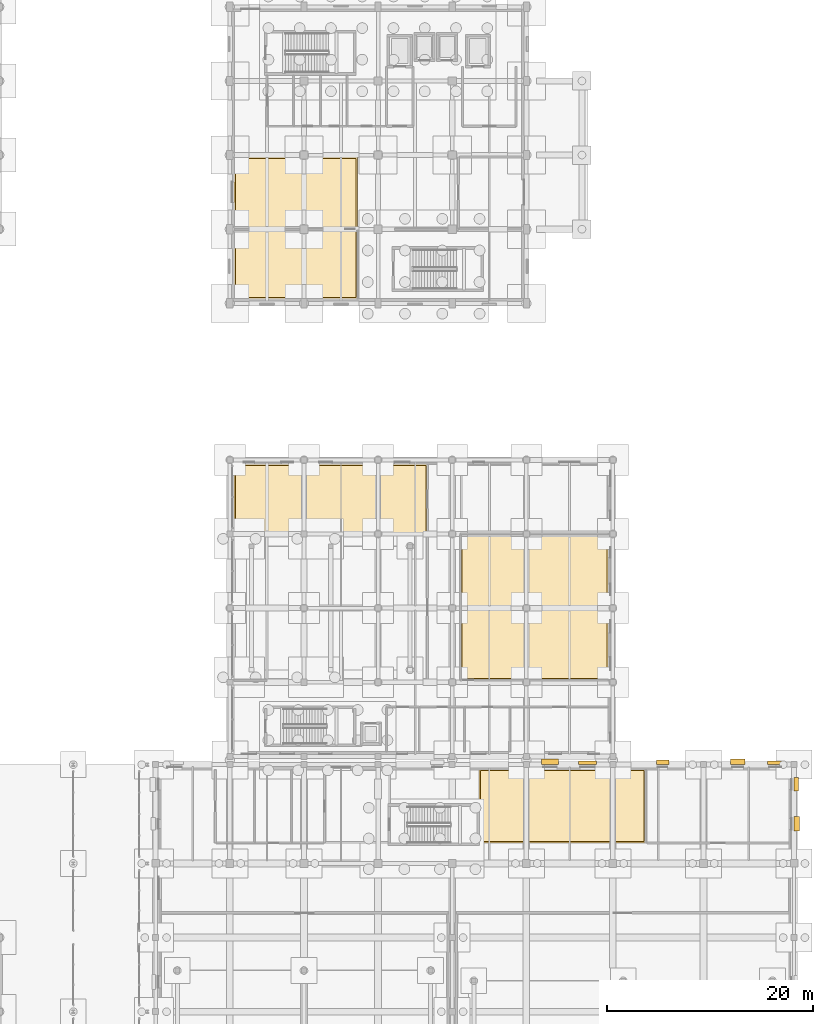
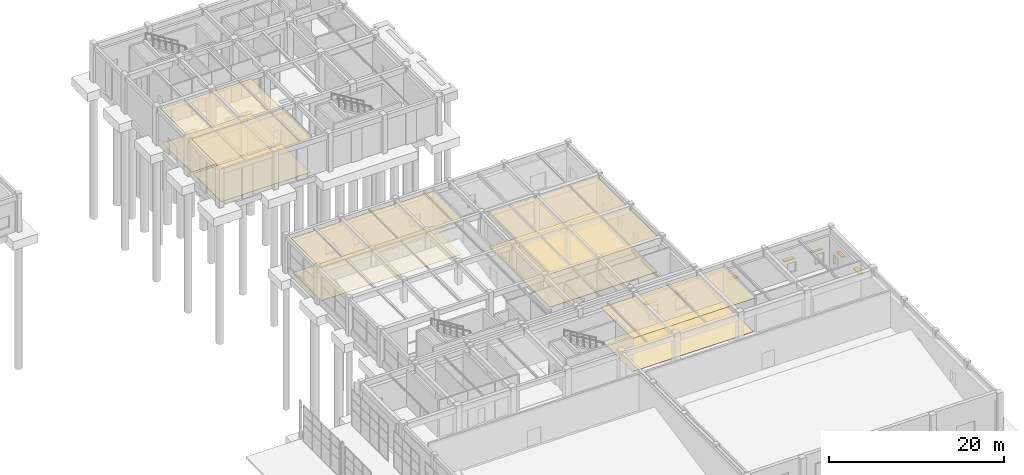
# One storey, part 88 of 91: 10 coverings, 7 shading devices.
"""IFC4 building model written with IfcOpenShell, lengths in metres."""

import ifcopenshell
import ifcopenshell.guid

model = None  # the IFC model being written
_history = None  # IfcOwnerHistory: only IFC2X3 demands one
_inside = {}  # id of a spatial element -> (the spatial element, [elements in it])
_under = {}  # id of a project, library or spatial element -> (it, [spatial elements below it])
_declared = {}  # id of a project -> (the project, [libraries it declares])
_typed = {}  # id of a type object -> (the type object, [elements of that type])
_made_of = {}  # id of a material, layer set ... -> (it, [elements and type objects made of it])


def new_model(schema):
    """Start an empty IFC model of exactly this schema.

    Asked for "IFC4X3", IfcOpenShell would pick the latest addendum, in which some entities
    have other attributes; the version numbers below select the first issue.
    IFC2X3 requires an IfcOwnerHistory on every rooted entity: one is made here for all.
    """
    global model, _history
    if schema == "IFC4X3":
        model = ifcopenshell.file(schema_version=(4, 3, 0, 0))
    else:
        model = ifcopenshell.file(schema=schema)
    _inside.clear()
    _under.clear()
    _declared.clear()
    _typed.clear()
    _made_of.clear()
    _history = None
    if model.schema == "IFC2X3":
        org = make("IfcOrganization", Name="unknown")
        user = make(
            "IfcPersonAndOrganization",
            ThePerson=make("IfcPerson", FamilyName="unknown"),
            TheOrganization=org,
        )
        app = make(
            "IfcApplication",
            ApplicationDeveloper=org,
            Version="unknown",
            ApplicationFullName="unknown",
            ApplicationIdentifier="unknown",
        )
        _history = make(
            "IfcOwnerHistory",
            OwningUser=user,
            OwningApplication=app,
            ChangeAction="ADDED",
            CreationDate=0,
        )
    return model


def make(cls, **values):
    """One entity of the class cls with the attributes given. An attribute that is None is left unset."""
    return model.create_entity(
        cls, **{name: value for name, value in values.items() if value is not None}
    )


def rooted(cls, **values):
    """An entity with a GlobalId (a new one), such as an element, a storey or a relation."""
    return make(cls, GlobalId=ifcopenshell.guid.new(), OwnerHistory=_history, **values)


def si_unit(unit_type, name, prefix=None):
    """IfcSIUnit, for example si_unit("LENGTHUNIT", "METRE", prefix="MILLI")."""
    return make("IfcSIUnit", UnitType=unit_type, Prefix=prefix, Name=name)


def assignment(units):
    """IfcUnitAssignment: the units of a project."""
    return None if units is None else make("IfcUnitAssignment", Units=units)


def point(xyz):
    """IfcCartesianPoint."""
    return None if xyz is None else make("IfcCartesianPoint", Coordinates=xyz)


def direction(xyz):
    """IfcDirection."""
    return None if xyz is None else make("IfcDirection", DirectionRatios=xyz)


def frame(location, z_axis=None, x_axis=None):
    """IfcAxis2Placement3D, a coordinate frame: its origin and axes. An axis left out is left unset."""
    return make(
        "IfcAxis2Placement3D",
        Location=point(location),
        Axis=direction(z_axis),
        RefDirection=direction(x_axis),
    )


def frame_2d(location, x_axis=None):
    """IfcAxis2Placement2D, a coordinate frame in the plane: its origin and x axis."""
    return make(
        "IfcAxis2Placement2D", Location=point(location), RefDirection=direction(x_axis)
    )


def origin():
    """The frame at (0, 0, 0) with its axes left unset."""
    return frame((0.0, 0.0, 0.0))


def origin_2d():
    """The frame at (0, 0) in the plane with its x axis left unset."""
    return frame_2d((0.0, 0.0))


def place(relative_to, where):
    """IfcLocalPlacement: puts the frame where relative to a parent placement (None: the world)."""
    return make(
        "IfcLocalPlacement", PlacementRelTo=relative_to, RelativePlacement=where
    )


def context(
    kind, dimensions, precision=None, world=None, true_north=None, identifier=None
):
    """IfcGeometricRepresentationContext, for example the 3D "Model" context."""
    return make(
        "IfcGeometricRepresentationContext",
        ContextIdentifier=identifier,
        ContextType=kind,
        CoordinateSpaceDimension=dimensions,
        Precision=precision,
        WorldCoordinateSystem=world,
        TrueNorth=true_north,
    )


def subcontext(parent, identifier, kind, view, scale=None):
    """IfcGeometricRepresentationSubContext, for example "Body" below "Model"."""
    return make(
        "IfcGeometricRepresentationSubContext",
        ContextIdentifier=identifier,
        ContextType=kind,
        ParentContext=parent,
        TargetScale=scale,
        TargetView=view,
    )


def project(units=None, contexts=None):
    """IfcProject with its units and contexts."""
    return rooted(
        "IfcProject",
        Name="project",
        RepresentationContexts=contexts,
        UnitsInContext=assignment(units),
    )


def spatial(cls, under=None, at=None, **own):
    """A site, building, storey or space (cls), placed at a placement, below another one or the project."""
    s = rooted(cls, ObjectPlacement=at, **own)
    if under is not None:
        _under.setdefault(under.id(), (under, []))[1].append(s)
    return s


def polyline(points):
    """IfcPolyline through the points."""
    return make("IfcPolyline", Points=[point(p) for p in points])


def profile(cls, at=None, kind="AREA", **sizes):
    """A parametric profile (cls). Its sizes go by their IFC names, for example OverallWidth=200.0."""
    return make(cls, ProfileType=kind, Position=at, **sizes)


def rectangle(**sizes):
    """IfcRectangleProfileDef."""
    return profile("IfcRectangleProfileDef", **sizes)


def outline(outer, holes=None, kind="AREA"):
    """IfcArbitraryClosedProfileDef: a profile drawn as a closed curve; with holes, ...WithVoids."""
    if holes is None:
        return make("IfcArbitraryClosedProfileDef", ProfileType=kind, OuterCurve=outer)
    return make(
        "IfcArbitraryProfileDefWithVoids",
        ProfileType=kind,
        OuterCurve=outer,
        InnerCurves=holes,
    )


def extrude(swept, where, along, depth):
    """IfcExtrudedAreaSolid: the profile swept, set in the frame where, extruded along a direction by depth."""
    return make(
        "IfcExtrudedAreaSolid",
        SweptArea=swept,
        Position=where,
        ExtrudedDirection=direction(along),
        Depth=depth,
    )


def shape(context_of_items, identifier, shape_type, items):
    """IfcShapeRepresentation: the items that make up one representation, for example the "Body"."""
    return make(
        "IfcShapeRepresentation",
        ContextOfItems=context_of_items,
        RepresentationIdentifier=identifier,
        RepresentationType=shape_type,
        Items=items,
    )


def material(Name=None, Category=None):
    """IfcMaterial."""
    return make("IfcMaterial", Name=Name, Category=Category)


def layer(
    of_material, thickness, ventilated=None, Name=None, Category=None, Priority=None
):
    """IfcMaterialLayer: one layer of a wall or slab, of a material (None: an air gap)."""
    return make(
        "IfcMaterialLayer",
        Material=of_material,
        LayerThickness=thickness,
        IsVentilated=ventilated,
        Name=Name,
        Category=Category,
        Priority=Priority,
    )


def layer_set(layers, Name=None):
    """IfcMaterialLayerSet."""
    return make("IfcMaterialLayerSet", MaterialLayers=layers, LayerSetName=Name)


def made_of(thing, what):
    """Note that an element or type object is made of a material, layer set ...; save() writes the relation."""
    if what is not None:
        _made_of.setdefault(what.id(), (what, []))[1].append(thing)
    return thing


def type_object(cls, material=None, **own):
    """A type object (cls), such as IfcWallType, which elements share."""
    return made_of(rooted(cls, **own), material)


def element(
    cls,
    number,
    at=None,
    inside=None,
    cuts=None,
    type_object=None,
    material=None,
    context=None,
    identifier="Body",
    shape_type=None,
    held_by="IfcProductDefinitionShape",
    body=None,
    shapes=None,
    **own,
):
    """One element of the class cls, such as IfcWall. Its Tag is "e" and its number.

    at: its placement. inside: the storey or other place that contains it. cuts: it is an
    opening in that element (IfcRelVoidsElement). A single representation is given by context,
    identifier, shape_type and body (its items); several are given by shapes. held_by: the class
    of the entity that holds the representations. save() writes the other relations.
    """
    e = rooted(cls, Tag="e%d" % number, ObjectPlacement=at, **own)
    if body is not None:
        shapes = [shape(context, identifier, shape_type, body)]
    if shapes is not None:
        e.Representation = make(held_by, Representations=shapes)
    if inside is not None:
        _inside.setdefault(inside.id(), (inside, []))[1].append(e)
    if cuts is not None:
        rooted(
            "IfcRelVoidsElement", RelatingBuildingElement=cuts, RelatedOpeningElement=e
        )
    if type_object is not None:
        _typed.setdefault(type_object.id(), (type_object, []))[1].append(e)
    return made_of(e, material)


def aggregate(whole, parts):
    """IfcRelAggregates: a whole, such as a stair, and the parts it consists of."""
    return rooted("IfcRelAggregates", RelatingObject=whole, RelatedObjects=parts)


def save(model, path):
    """Write the relations noted so far, then the file.

    IfcRelAggregates (storeys below a building ...), IfcRelContainedInSpatialStructure (elements
    in a storey), IfcRelDefinesByType, IfcRelAssociatesMaterial and IfcRelDeclares: one each for
    every whole, place, type object, material and project.
    """
    for whole, parts in _under.values():
        aggregate(whole, parts)
    for where, things in _inside.values():
        rooted(
            "IfcRelContainedInSpatialStructure",
            RelatedElements=things,
            RelatingStructure=where,
        )
    for kind, things in _typed.values():
        rooted("IfcRelDefinesByType", RelatedObjects=things, RelatingType=kind)
    for what, things in _made_of.values():
        rooted("IfcRelAssociatesMaterial", RelatedObjects=things, RelatingMaterial=what)
    for by, libraries in _declared.values():
        rooted("IfcRelDeclares", RelatingContext=by, RelatedDefinitions=libraries)
    model.write(path)


model = new_model("IFC4")

# Units and contexts
model_context = context("Model", 3, precision=1e-05, world=origin(), true_north=direction((0.0, 1.0)))
body_context = subcontext(model_context, "Body", "Model", "MODEL_VIEW")
ifc_project = project(units=[si_unit("LENGTHUNIT", "METRE"), si_unit("AREAUNIT", "SQUARE_METRE"), si_unit("VOLUMEUNIT", "CUBIC_METRE"), si_unit("PLANEANGLEUNIT", "RADIAN"), si_unit("MASSUNIT", "GRAM", prefix="KILO")], contexts=[model_context])

# Site, building, storey
site_placement = place(None, origin())
site = spatial("IfcSite", under=ifc_project, at=site_placement, CompositionType="ELEMENT")
building_placement = place(site_placement, origin())
building = spatial("IfcBuilding", under=site, at=building_placement, Name="Bramveld Media Centre", CompositionType="ELEMENT")
storey_placement = place(building_placement, origin())
storey = spatial("IfcBuildingStorey", under=building, at=storey_placement, Name="L00", CompositionType="ELEMENT", Elevation=0.0)

# Coverings
ifc_material_1 = material(Name="Perforated acoustic mineral-fibre & oak-slat suspended ceiling")
ifc_layer_1 = layer(ifc_material_1, 0.044921875)
ifc_layer_set_1 = layer_set([ifc_layer_1], Name="Perforated acoustic mineral-fibre & oak-slat suspended ceiling")
covering_type_1 = type_object("IfcCoveringType", Name="COV-CEIL-01", PredefinedType="CEILING", material=ifc_layer_set_1)
covering_1_placement = place(storey_placement, frame((0.0, 0.0, 4.764892578125)))
element("IfcCovering", 1, at=covering_1_placement, inside=storey, type_object=covering_type_1, Name="Youth Media Education Workshop acoustic suspended ceiling", PredefinedType="CEILING", context=body_context, shape_type="SweptSolid", body=[
    extrude(outline(polyline([(153.60009765625, 46.60009765625), (168.0, 46.60009765625), (168.0, 60.800048828125), (153.60009765625, 60.800048828125), (153.60009765625, 46.60009765625)])), origin(), (0.0, 0.0, 1.0), 0.045166015625),
])
covering_2_placement = place(storey_placement, frame((0.0, 0.0, 4.7451171875)))
element("IfcCovering", 2, at=covering_2_placement, inside=storey, type_object=covering_type_1, Name="Live Radio & Podcast Window Studio acoustic suspended ceiling", PredefinedType="CEILING", context=body_context, shape_type="SweptSolid", body=[
    extrude(outline(polyline([(131.60009765625, 83.60009765625), (143.60009765625, 83.60009765625), (143.60009765625, 90.39990234375), (131.60009765625, 90.39990234375), (131.60009765625, 83.60009765625)])), origin(), (0.0, 0.0, 1.0), 0.044921875),
])
ifc_material_2 = material(Name="Spring-isolated studio acoustic gypsum & mineral-wool ceiling")
ifc_layer_2 = layer(ifc_material_2, 0.06005859375)
ifc_layer_set_2 = layer_set([ifc_layer_2], Name="Spring-isolated studio acoustic gypsum & mineral-wool ceiling")
covering_type_2 = type_object("IfcCoveringType", Name="COV-CEIL-02", PredefinedType="CEILING", material=ifc_layer_set_2)
covering_3_placement = place(storey_placement, frame((0.0, 0.0, 4.7099609375)))
element("IfcCovering", 3, at=covering_3_placement, inside=storey, type_object=covering_type_2, Name="Festival Press & Ticket Circulation Lobby acoustic suspended ceiling", PredefinedType="CEILING", context=body_context, shape_type="SweptSolid", body=[
    extrude(outline(polyline([(155.39990234375, 30.800048828125), (171.60009765625, 30.800048828125), (171.60009765625, 38.0), (155.39990234375, 38.0), (155.39990234375, 30.800048828125)])), origin(), (0.0, 0.0, 1.0), 0.06005859375),
])
covering_4_placement = place(storey_placement, frame((0.0, 0.0, 4.75)))
element("IfcCovering", 4, at=covering_4_placement, inside=storey, type_object=covering_type_2, Name="Analogue Film Scanner Suite acoustic suspended ceiling", PredefinedType="CEILING", context=body_context, shape_type="SweptSolid", body=[
    extrude(outline(polyline([(131.60009765625, 60.800048828125), (150.39990234375, 60.800048828125), (150.39990234375, 67.60009765625), (131.60009765625, 67.60009765625), (131.60009765625, 60.800048828125)])), origin(), (0.0, 0.0, 1.0), 0.06005859375),
])
covering_5_placement = place(storey_placement, frame((0.0, 0.0, 4.72998046875)))
element("IfcCovering", 5, at=covering_5_placement, inside=storey, type_object=covering_type_2, Name="East Plaza Entrance Circulation Lobby acoustic suspended ceiling", PredefinedType="CEILING", context=body_context, shape_type="SweptSolid", body=[
    extrude(outline(polyline([(131.60009765625, 90.39990234375), (143.60009765625, 90.39990234375), (143.60009765625, 97.39990234375), (131.60009765625, 97.39990234375), (131.60009765625, 90.39990234375)])), origin(), (0.0, 0.0, 1.0), 0.06005859375),
])
ifc_material_3 = material(Name="Floating acoustic screed with smoked European oak studio flooring")
ifc_layer_3 = layer(ifc_material_3, 0.06494140625)
ifc_layer_set_3 = layer_set([ifc_layer_3], Name="Floating acoustic screed with smoked European oak studio flooring")
covering_type_3 = type_object("IfcCoveringType", Name="COV-FLOOR-01", PredefinedType="FLOORING", material=ifc_layer_set_3)
covering_6_placement = place(storey_placement, origin())
element("IfcCovering", 6, at=covering_6_placement, inside=storey, type_object=covering_type_3, Name="Youth Media Education Workshop finish flooring", PredefinedType="FLOORING", context=body_context, shape_type="SweptSolid", body=[
    extrude(outline(polyline([(153.75, 46.75), (167.85009765625, 46.75), (167.85009765625, 60.64990234375), (153.75, 60.64990234375), (153.75, 46.75)])), origin(), (0.0, 0.0, 1.0), 0.06494140625),
])
ifc_material_4 = material(Name="Honed Belgian bluestone (petit granit) public concourse flooring", Category="masonry")
ifc_layer_4 = layer(ifc_material_4, 0.050048828125)
ifc_layer_set_4 = layer_set([ifc_layer_4], Name="Honed Belgian bluestone (petit granit) public concourse flooring")
covering_type_4 = type_object("IfcCoveringType", Name="COV-FLOOR-02", PredefinedType="FLOORING", material=ifc_layer_set_4)
covering_7_placement = place(storey_placement, origin())
element("IfcCovering", 7, at=covering_7_placement, inside=storey, type_object=covering_type_4, Name="Analogue Film Scanner Suite finish flooring", PredefinedType="FLOORING", context=body_context, shape_type="SweptSolid", body=[
    extrude(outline(polyline([(131.75, 60.949951171875), (150.25, 60.949951171875), (150.25, 67.449951171875), (131.75, 67.449951171875), (131.75, 60.949951171875)])), origin(), (0.0, 0.0, 1.0), 0.050048828125),
])
covering_8_placement = place(storey_placement, origin())
element("IfcCovering", 8, at=covering_8_placement, inside=storey, type_object=covering_type_4, Name="East Plaza Entrance Circulation Lobby finish flooring", PredefinedType="FLOORING", context=body_context, shape_type="SweptSolid", body=[
    extrude(outline(polyline([(131.75, 90.550048828125), (143.449951171875, 90.550048828125), (143.449951171875, 97.25), (131.75, 97.25), (131.75, 90.550048828125)])), origin(), (0.0, 0.0, 1.0), 0.050048828125),
])
ifc_material_5 = material(Name="Anti-static acoustic linoleum editing & vault flooring")
ifc_layer_5 = layer(ifc_material_5, 0.0400390625)
ifc_layer_set_5 = layer_set([ifc_layer_5], Name="Anti-static acoustic linoleum editing & vault flooring")
covering_type_5 = type_object("IfcCoveringType", Name="COV-FLOOR-03", PredefinedType="FLOORING", material=ifc_layer_set_5)
covering_9_placement = place(storey_placement, origin())
element("IfcCovering", 9, at=covering_9_placement, inside=storey, type_object=covering_type_5, Name="Festival Press & Ticket Circulation Lobby finish flooring", PredefinedType="FLOORING", context=body_context, shape_type="SweptSolid", body=[
    extrude(outline(polyline([(155.550048828125, 30.949951171875), (171.449951171875, 30.949951171875), (171.449951171875, 37.85009765625), (155.550048828125, 37.85009765625), (155.550048828125, 30.949951171875)])), origin(), (0.0, 0.0, 1.0), 0.0400390625),
])
covering_10_placement = place(storey_placement, origin())
element("IfcCovering", 10, at=covering_10_placement, inside=storey, type_object=covering_type_5, Name="Live Radio & Podcast Window Studio finish flooring", PredefinedType="FLOORING", context=body_context, shape_type="SweptSolid", body=[
    extrude(outline(polyline([(131.75, 83.75), (143.449951171875, 83.75), (143.449951171875, 90.25), (131.75, 90.25), (131.75, 83.75)])), origin(), (0.0, 0.0, 1.0), 0.0400390625),
])

# Shading devices
ifc_material_6 = material(Name="Anodized bronze extruded aluminium solar shading fin", Category="aluminium")
shading_device_type_1 = type_object("IfcShadingDeviceType", Name="SHD-BRISE-350", PredefinedType="JALOUSIE", material=ifc_material_6)
shading_device_1_placement = place(storey_placement, frame((165.941162109375, 38.574951171875, 2.659912109375), z_axis=(0.0, 0.0, 1.0), x_axis=(1.0, 0.0, 0.0)))
element("IfcShadingDevice", 11, at=shading_device_1_placement, inside=storey, type_object=shading_device_type_1, Name="Bronze solar shading fin 9", PredefinedType="JALOUSIE", context=body_context, shape_type="SweptSolid", body=[
    extrude(rectangle(XDim=1.739990234375, YDim=0.35009765625, at=origin_2d()), origin(), (0.0, 0.0, 1.0), 0.06005859375),
])
shading_device_2_placement = place(storey_placement, frame((184.176513671875, 38.574951171875, 2.260009765625), z_axis=(0.0, 0.0, 1.0), x_axis=(1.0, 0.0, 0.0)))
element("IfcShadingDevice", 12, at=shading_device_2_placement, inside=storey, type_object=shading_device_type_1, Name="Bronze solar shading fin 12", PredefinedType="JALOUSIE", context=body_context, shape_type="SweptSolid", body=[
    extrude(rectangle(XDim=1.5, YDim=0.35009765625, at=origin_2d()), origin(), (0.0, 0.0, 1.0), 0.06005859375),
])
ifc_material_7 = material(Name="Anodized bronze extruded aluminium solar shading fin", Category="aluminium")
shading_device_type_2 = type_object("IfcShadingDeviceType", Name="SHD-BRISE-450", PredefinedType="JALOUSIE", material=ifc_material_7)
shading_device_3_placement = place(storey_placement, frame((186.22509765625, 36.47998046875, 2.260009765625), z_axis=(0.0, 0.0, 1.0), x_axis=(1.0, 0.0, 0.0)))
element("IfcShadingDevice", 13, at=shading_device_3_placement, inside=storey, type_object=shading_device_type_2, Name="Bronze solar shading fin 1", PredefinedType="JALOUSIE", context=body_context, shape_type="SweptSolid", body=[
    extrude(rectangle(XDim=0.449951171875, YDim=1.300048828125, at=origin_2d()), origin(), (0.0, 0.0, 1.0), 0.06005859375),
])
shading_device_4_placement = place(storey_placement, frame((173.2353515625, 38.625, 2.260009765625), z_axis=(0.0, 0.0, 1.0), x_axis=(1.0, 0.0, 0.0)))
element("IfcShadingDevice", 14, at=shading_device_4_placement, inside=storey, type_object=shading_device_type_2, Name="Bronze solar shading fin 10", PredefinedType="JALOUSIE", context=body_context, shape_type="SweptSolid", body=[
    extrude(rectangle(XDim=1.199951171875, YDim=0.449951171875, at=origin_2d()), origin(), (0.0, 0.0, 1.0), 0.06005859375),
])
ifc_material_8 = material(Name="Anodized bronze extruded aluminium solar shading fin", Category="aluminium")
shading_device_type_3 = type_object("IfcShadingDeviceType", Name="SHD-BRISE-550", PredefinedType="JALOUSIE", material=ifc_material_8)
shading_device_5_placement = place(storey_placement, frame((186.27490234375, 32.639892578125, 2.260009765625), z_axis=(0.0, 0.0, 1.0), x_axis=(1.0, 0.0, 0.0)))
element("IfcShadingDevice", 15, at=shading_device_5_placement, inside=storey, type_object=shading_device_type_3, Name="Bronze solar shading fin 2", PredefinedType="JALOUSIE", context=body_context, shape_type="SweptSolid", body=[
    extrude(rectangle(XDim=0.550048828125, YDim=1.39990234375, at=origin_2d()), origin(), (0.0, 0.0, 1.0), 0.06005859375),
])
shading_device_6_placement = place(storey_placement, frame((162.294189453125, 38.675048828125, 2.659912109375), z_axis=(0.0, 0.0, 1.0), x_axis=(1.0, 0.0, 0.0)))
element("IfcShadingDevice", 16, at=shading_device_6_placement, inside=storey, type_object=shading_device_type_3, Name="Bronze solar shading fin 8", PredefinedType="JALOUSIE", context=body_context, shape_type="SweptSolid", body=[
    extrude(rectangle(XDim=1.639892578125, YDim=0.550048828125, at=origin_2d()), origin(), (0.0, 0.0, 1.0), 0.06005859375),
])
shading_device_7_placement = place(storey_placement, frame((180.529296875, 38.675048828125, 2.260009765625), z_axis=(0.0, 0.0, 1.0), x_axis=(1.0, 0.0, 0.0)))
element("IfcShadingDevice", 17, at=shading_device_7_placement, inside=storey, type_object=shading_device_type_3, Name="Bronze solar shading fin 11", PredefinedType="JALOUSIE", context=body_context, shape_type="SweptSolid", body=[
    extrude(rectangle(XDim=1.39990234375, YDim=0.550048828125, at=origin_2d()), origin(), (0.0, 0.0, 1.0), 0.06005859375),
])

save(model, "model.ifc")
